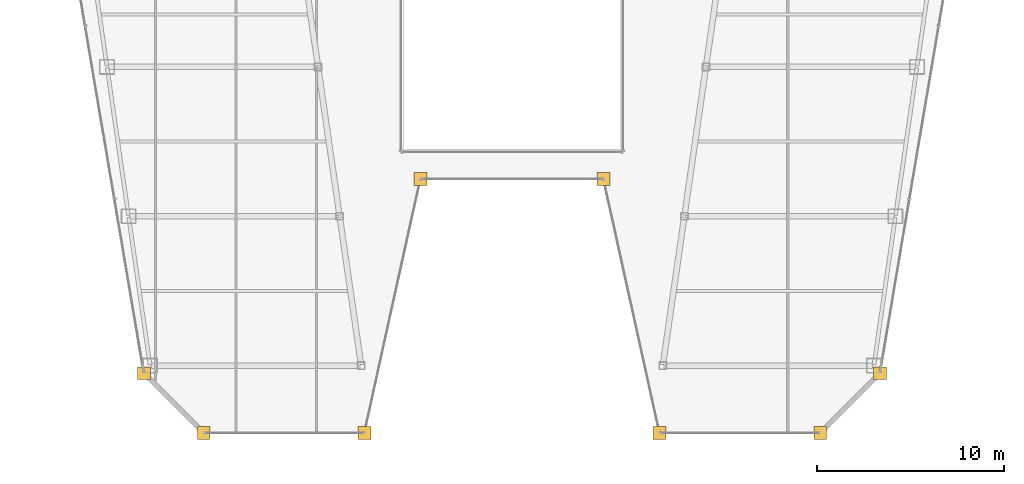
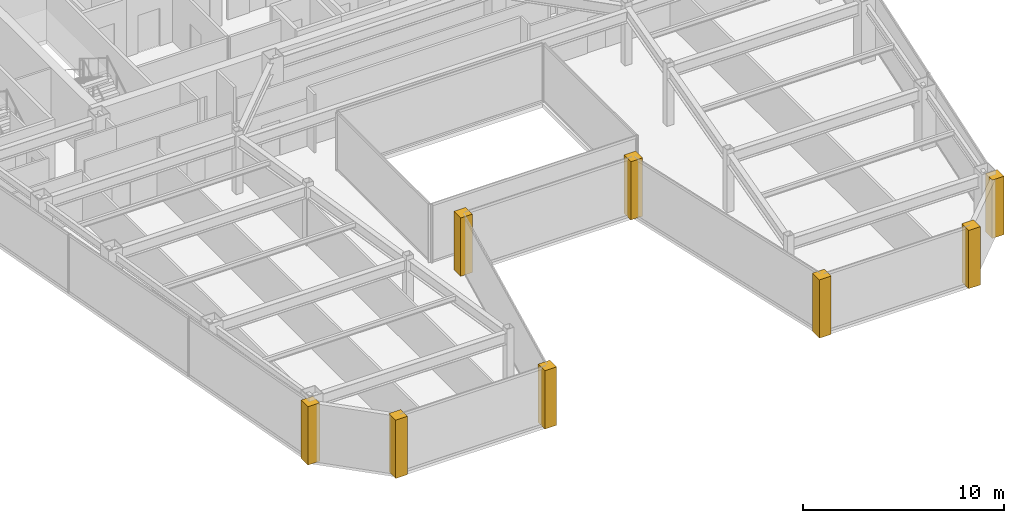
# One storey, part 33 of 35: 8 coverings.
"""IFC4 building model written with IfcOpenShell, lengths in metres."""

import ifcopenshell
import ifcopenshell.guid

model = None  # the IFC model being written
_history = None  # IfcOwnerHistory: only IFC2X3 demands one
_inside = {}  # id of a spatial element -> (the spatial element, [elements in it])
_under = {}  # id of a project, library or spatial element -> (it, [spatial elements below it])
_declared = {}  # id of a project -> (the project, [libraries it declares])
_typed = {}  # id of a type object -> (the type object, [elements of that type])
_made_of = {}  # id of a material, layer set ... -> (it, [elements and type objects made of it])


def new_model(schema):
    """Start an empty IFC model of exactly this schema.

    Asked for "IFC4X3", IfcOpenShell would pick the latest addendum, in which some entities
    have other attributes; the version numbers below select the first issue.
    IFC2X3 requires an IfcOwnerHistory on every rooted entity: one is made here for all.
    """
    global model, _history
    if schema == "IFC4X3":
        model = ifcopenshell.file(schema_version=(4, 3, 0, 0))
    else:
        model = ifcopenshell.file(schema=schema)
    _inside.clear()
    _under.clear()
    _declared.clear()
    _typed.clear()
    _made_of.clear()
    _history = None
    if model.schema == "IFC2X3":
        org = make("IfcOrganization", Name="unknown")
        user = make(
            "IfcPersonAndOrganization",
            ThePerson=make("IfcPerson", FamilyName="unknown"),
            TheOrganization=org,
        )
        app = make(
            "IfcApplication",
            ApplicationDeveloper=org,
            Version="unknown",
            ApplicationFullName="unknown",
            ApplicationIdentifier="unknown",
        )
        _history = make(
            "IfcOwnerHistory",
            OwningUser=user,
            OwningApplication=app,
            ChangeAction="ADDED",
            CreationDate=0,
        )
    return model


def make(cls, **values):
    """One entity of the class cls with the attributes given. An attribute that is None is left unset."""
    return model.create_entity(
        cls, **{name: value for name, value in values.items() if value is not None}
    )


def rooted(cls, **values):
    """An entity with a GlobalId (a new one), such as an element, a storey or a relation."""
    return make(cls, GlobalId=ifcopenshell.guid.new(), OwnerHistory=_history, **values)


def si_unit(unit_type, name, prefix=None):
    """IfcSIUnit, for example si_unit("LENGTHUNIT", "METRE", prefix="MILLI")."""
    return make("IfcSIUnit", UnitType=unit_type, Prefix=prefix, Name=name)


def assignment(units):
    """IfcUnitAssignment: the units of a project."""
    return None if units is None else make("IfcUnitAssignment", Units=units)


def point(xyz):
    """IfcCartesianPoint."""
    return None if xyz is None else make("IfcCartesianPoint", Coordinates=xyz)


def direction(xyz):
    """IfcDirection."""
    return None if xyz is None else make("IfcDirection", DirectionRatios=xyz)


def frame(location, z_axis=None, x_axis=None):
    """IfcAxis2Placement3D, a coordinate frame: its origin and axes. An axis left out is left unset."""
    return make(
        "IfcAxis2Placement3D",
        Location=point(location),
        Axis=direction(z_axis),
        RefDirection=direction(x_axis),
    )


def origin():
    """The frame at (0, 0, 0) with its axes left unset."""
    return frame((0.0, 0.0, 0.0))


def place(relative_to, where):
    """IfcLocalPlacement: puts the frame where relative to a parent placement (None: the world)."""
    return make(
        "IfcLocalPlacement", PlacementRelTo=relative_to, RelativePlacement=where
    )


def context(
    kind, dimensions, precision=None, world=None, true_north=None, identifier=None
):
    """IfcGeometricRepresentationContext, for example the 3D "Model" context."""
    return make(
        "IfcGeometricRepresentationContext",
        ContextIdentifier=identifier,
        ContextType=kind,
        CoordinateSpaceDimension=dimensions,
        Precision=precision,
        WorldCoordinateSystem=world,
        TrueNorth=true_north,
    )


def subcontext(parent, identifier, kind, view, scale=None):
    """IfcGeometricRepresentationSubContext, for example "Body" below "Model"."""
    return make(
        "IfcGeometricRepresentationSubContext",
        ContextIdentifier=identifier,
        ContextType=kind,
        ParentContext=parent,
        TargetScale=scale,
        TargetView=view,
    )


def project(units=None, contexts=None):
    """IfcProject with its units and contexts."""
    return rooted(
        "IfcProject",
        Name="project",
        RepresentationContexts=contexts,
        UnitsInContext=assignment(units),
    )


def spatial(cls, under=None, at=None, **own):
    """A site, building, storey or space (cls), placed at a placement, below another one or the project."""
    s = rooted(cls, ObjectPlacement=at, **own)
    if under is not None:
        _under.setdefault(under.id(), (under, []))[1].append(s)
    return s


def polyline(points):
    """IfcPolyline through the points."""
    return make("IfcPolyline", Points=[point(p) for p in points])


def outline(outer, holes=None, kind="AREA"):
    """IfcArbitraryClosedProfileDef: a profile drawn as a closed curve; with holes, ...WithVoids."""
    if holes is None:
        return make("IfcArbitraryClosedProfileDef", ProfileType=kind, OuterCurve=outer)
    return make(
        "IfcArbitraryProfileDefWithVoids",
        ProfileType=kind,
        OuterCurve=outer,
        InnerCurves=holes,
    )


def extrude(swept, where, along, depth):
    """IfcExtrudedAreaSolid: the profile swept, set in the frame where, extruded along a direction by depth."""
    return make(
        "IfcExtrudedAreaSolid",
        SweptArea=swept,
        Position=where,
        ExtrudedDirection=direction(along),
        Depth=depth,
    )


def shape(context_of_items, identifier, shape_type, items):
    """IfcShapeRepresentation: the items that make up one representation, for example the "Body"."""
    return make(
        "IfcShapeRepresentation",
        ContextOfItems=context_of_items,
        RepresentationIdentifier=identifier,
        RepresentationType=shape_type,
        Items=items,
    )


def material(Name=None, Category=None):
    """IfcMaterial."""
    return make("IfcMaterial", Name=Name, Category=Category)


def layer(
    of_material, thickness, ventilated=None, Name=None, Category=None, Priority=None
):
    """IfcMaterialLayer: one layer of a wall or slab, of a material (None: an air gap)."""
    return make(
        "IfcMaterialLayer",
        Material=of_material,
        LayerThickness=thickness,
        IsVentilated=ventilated,
        Name=Name,
        Category=Category,
        Priority=Priority,
    )


def layer_set(layers, Name=None):
    """IfcMaterialLayerSet."""
    return make("IfcMaterialLayerSet", MaterialLayers=layers, LayerSetName=Name)


def made_of(thing, what):
    """Note that an element or type object is made of a material, layer set ...; save() writes the relation."""
    if what is not None:
        _made_of.setdefault(what.id(), (what, []))[1].append(thing)
    return thing


def type_object(cls, material=None, **own):
    """A type object (cls), such as IfcWallType, which elements share."""
    return made_of(rooted(cls, **own), material)


def element(
    cls,
    number,
    at=None,
    inside=None,
    cuts=None,
    type_object=None,
    material=None,
    context=None,
    identifier="Body",
    shape_type=None,
    held_by="IfcProductDefinitionShape",
    body=None,
    shapes=None,
    **own,
):
    """One element of the class cls, such as IfcWall. Its Tag is "e" and its number.

    at: its placement. inside: the storey or other place that contains it. cuts: it is an
    opening in that element (IfcRelVoidsElement). A single representation is given by context,
    identifier, shape_type and body (its items); several are given by shapes. held_by: the class
    of the entity that holds the representations. save() writes the other relations.
    """
    e = rooted(cls, Tag="e%d" % number, ObjectPlacement=at, **own)
    if body is not None:
        shapes = [shape(context, identifier, shape_type, body)]
    if shapes is not None:
        e.Representation = make(held_by, Representations=shapes)
    if inside is not None:
        _inside.setdefault(inside.id(), (inside, []))[1].append(e)
    if cuts is not None:
        rooted(
            "IfcRelVoidsElement", RelatingBuildingElement=cuts, RelatedOpeningElement=e
        )
    if type_object is not None:
        _typed.setdefault(type_object.id(), (type_object, []))[1].append(e)
    return made_of(e, material)


def aggregate(whole, parts):
    """IfcRelAggregates: a whole, such as a stair, and the parts it consists of."""
    return rooted("IfcRelAggregates", RelatingObject=whole, RelatedObjects=parts)


def save(model, path):
    """Write the relations noted so far, then the file.

    IfcRelAggregates (storeys below a building ...), IfcRelContainedInSpatialStructure (elements
    in a storey), IfcRelDefinesByType, IfcRelAssociatesMaterial and IfcRelDeclares: one each for
    every whole, place, type object, material and project.
    """
    for whole, parts in _under.values():
        aggregate(whole, parts)
    for where, things in _inside.values():
        rooted(
            "IfcRelContainedInSpatialStructure",
            RelatedElements=things,
            RelatingStructure=where,
        )
    for kind, things in _typed.values():
        rooted("IfcRelDefinesByType", RelatedObjects=things, RelatingType=kind)
    for what, things in _made_of.values():
        rooted("IfcRelAssociatesMaterial", RelatedObjects=things, RelatingMaterial=what)
    for by, libraries in _declared.values():
        rooted("IfcRelDeclares", RelatingContext=by, RelatedDefinitions=libraries)
    model.write(path)


model = new_model("IFC4")

# Units and contexts
model_context = context("Model", 3, precision=1e-05, world=origin(), true_north=direction((0.0, 1.0)))
body_context = subcontext(model_context, "Body", "Model", "MODEL_VIEW")
ifc_project = project(units=[si_unit("LENGTHUNIT", "METRE"), si_unit("AREAUNIT", "SQUARE_METRE"), si_unit("VOLUMEUNIT", "CUBIC_METRE"), si_unit("PLANEANGLEUNIT", "RADIAN"), si_unit("MASSUNIT", "GRAM", prefix="KILO")], contexts=[model_context])

# Site, building, storey
site_placement = place(None, origin())
site = spatial("IfcSite", under=ifc_project, at=site_placement, CompositionType="ELEMENT")
building_placement = place(site_placement, origin())
building = spatial("IfcBuilding", under=site, at=building_placement, Name="Saevonmaru Cultural Tower", CompositionType="ELEMENT")
storey_placement = place(building_placement, frame((0.0, 0.0, 194.199951171875)))
storey = spatial("IfcBuildingStorey", under=building, at=storey_placement, Name="L44", CompositionType="ELEMENT", Elevation=194.199951171875)

# Coverings
ifc_material = material(Name="Satin Bronze Anodised Aluminium", Category="aluminium")
ifc_layer = layer(ifc_material, 0.679931640625, Name="Satin Bronze Anodised Aluminium")
ifc_layer_set = layer_set([ifc_layer], Name="Satin Bronze Anodised Aluminium")
covering_type = type_object("IfcCoveringType", Name="CV-CORNER-CLAD", PredefinedType="CLADDING", material=ifc_layer_set)
covering_1_placement = place(storey_placement, origin())
element("IfcCovering", 1, at=covering_1_placement, inside=storey, type_object=covering_type, Name="L44 Tower Bronze Corner Cladding Pier 1", PredefinedType="CLADDING", context=body_context, shape_type="SweptSolid", body=[
    extrude(outline(polyline([(9.9580078125, 15.260009765625), (10.637939453125, 15.260009765625), (10.637939453125, 15.93994140625), (9.9580078125, 15.93994140625), (9.9580078125, 15.260009765625)])), origin(), (0.0, 0.0, 1.0), 3.550048828125),
])
covering_2_placement = place(storey_placement, origin())
element("IfcCovering", 2, at=covering_2_placement, inside=storey, type_object=covering_type, Name="L44 Tower Bronze Corner Cladding Pier 2", PredefinedType="CLADDING", context=body_context, shape_type="SweptSolid", body=[
    extrude(outline(polyline([(13.157958984375, 12.06005859375), (13.837890625, 12.06005859375), (13.837890625, 12.739990234375), (13.157958984375, 12.739990234375), (13.157958984375, 12.06005859375)])), origin(), (0.0, 0.0, 1.0), 3.550048828125),
])
covering_3_placement = place(storey_placement, origin())
element("IfcCovering", 3, at=covering_3_placement, inside=storey, type_object=covering_type, Name="L44 Tower Bronze Corner Cladding Pier 3", PredefinedType="CLADDING", context=body_context, shape_type="SweptSolid", body=[
    extrude(outline(polyline([(21.758056640625, 12.06005859375), (22.43798828125, 12.06005859375), (22.43798828125, 12.739990234375), (21.758056640625, 12.739990234375), (21.758056640625, 12.06005859375)])), origin(), (0.0, 0.0, 1.0), 3.550048828125),
])
covering_4_placement = place(storey_placement, origin())
element("IfcCovering", 4, at=covering_4_placement, inside=storey, type_object=covering_type, Name="L44 Tower Bronze Corner Cladding Pier 4", PredefinedType="CLADDING", context=body_context, shape_type="SweptSolid", body=[
    extrude(outline(polyline([(24.758056640625, 25.659912109375), (25.43798828125, 25.659912109375), (25.43798828125, 26.340087890625), (24.758056640625, 26.340087890625), (24.758056640625, 25.659912109375)])), origin(), (0.0, 0.0, 1.0), 3.550048828125),
])
covering_5_placement = place(storey_placement, origin())
element("IfcCovering", 5, at=covering_5_placement, inside=storey, type_object=covering_type, Name="L44 Tower Bronze Corner Cladding Pier 5", PredefinedType="CLADDING", context=body_context, shape_type="SweptSolid", body=[
    extrude(outline(polyline([(34.56201171875, 25.659912109375), (35.241943359375, 25.659912109375), (35.241943359375, 26.340087890625), (34.56201171875, 26.340087890625), (34.56201171875, 25.659912109375)])), origin(), (0.0, 0.0, 1.0), 3.550048828125),
])
covering_6_placement = place(storey_placement, origin())
element("IfcCovering", 6, at=covering_6_placement, inside=storey, type_object=covering_type, Name="L44 Tower Bronze Corner Cladding Pier 6", PredefinedType="CLADDING", context=body_context, shape_type="SweptSolid", body=[
    extrude(outline(polyline([(37.56201171875, 12.06005859375), (38.241943359375, 12.06005859375), (38.241943359375, 12.739990234375), (37.56201171875, 12.739990234375), (37.56201171875, 12.06005859375)])), origin(), (0.0, 0.0, 1.0), 3.550048828125),
])
covering_7_placement = place(storey_placement, origin())
element("IfcCovering", 7, at=covering_7_placement, inside=storey, type_object=covering_type, Name="L44 Tower Bronze Corner Cladding Pier 7", PredefinedType="CLADDING", context=body_context, shape_type="SweptSolid", body=[
    extrude(outline(polyline([(46.162109375, 12.06005859375), (46.842041015625, 12.06005859375), (46.842041015625, 12.739990234375), (46.162109375, 12.739990234375), (46.162109375, 12.06005859375)])), origin(), (0.0, 0.0, 1.0), 3.550048828125),
])
covering_8_placement = place(storey_placement, origin())
element("IfcCovering", 8, at=covering_8_placement, inside=storey, type_object=covering_type, Name="L44 Tower Bronze Corner Cladding Pier 8", PredefinedType="CLADDING", context=body_context, shape_type="SweptSolid", body=[
    extrude(outline(polyline([(49.362060546875, 15.260009765625), (50.0419921875, 15.260009765625), (50.0419921875, 15.93994140625), (49.362060546875, 15.93994140625), (49.362060546875, 15.260009765625)])), origin(), (0.0, 0.0, 1.0), 3.550048828125),
])

save(model, "model.ifc")
